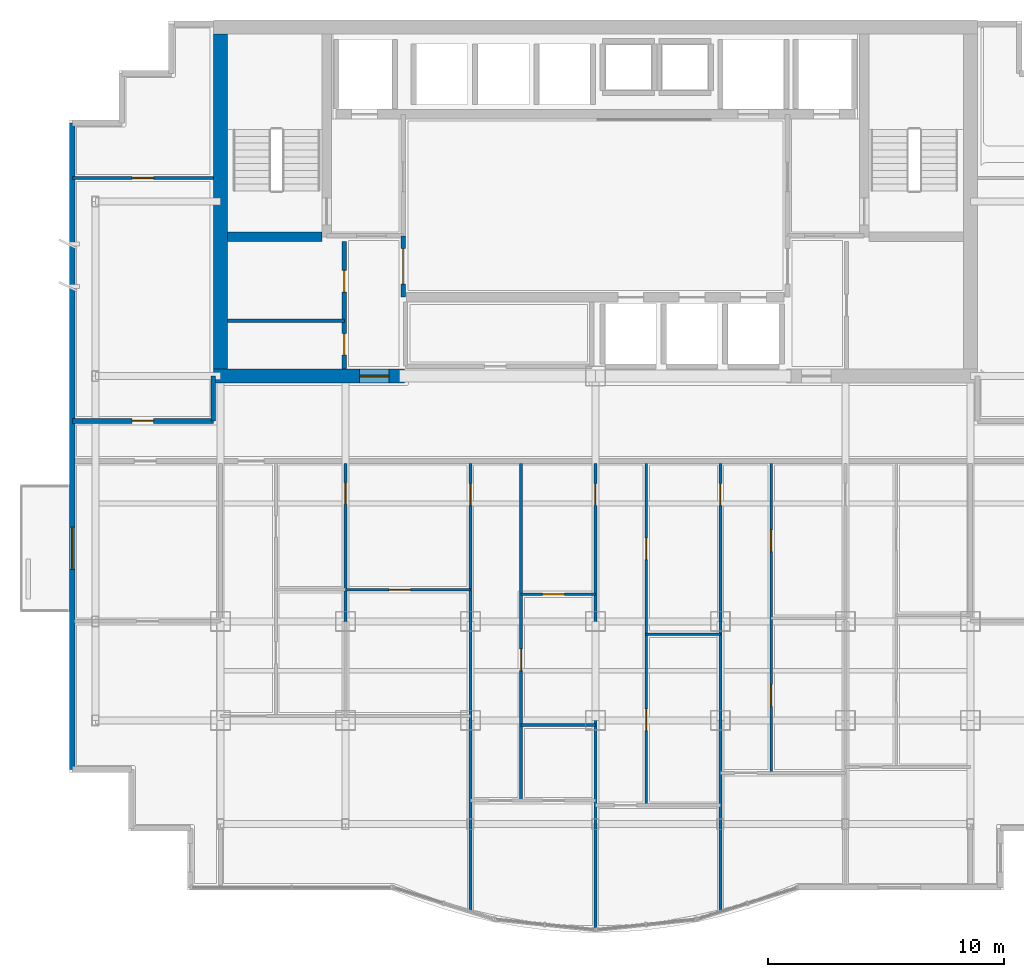
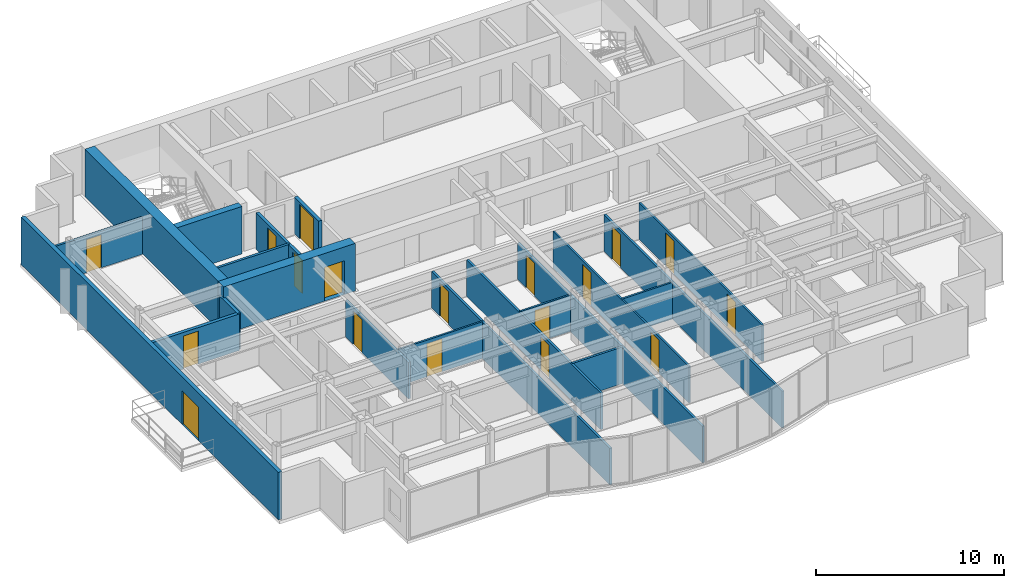
# One storey, part 6 of 11: 21 walls, 18 doors, 18 openings.
"""IFC4 building model written with IfcOpenShell, lengths in metres."""

from ifc_helpers import new_model, si_unit, direction, frame, frame_2d, origin, place, context, subcontext, project, spatial, rectangle, extrude, material, layer, layer_set, type_object, element, fill, save


model = new_model("IFC4")

# Units and contexts
model_context = context("Model", 3, precision=1e-05, world=origin(), true_north=direction((0.0, 1.0)))
body_context = subcontext(model_context, "Body", "Model", "MODEL_VIEW")
ifc_project = project(units=[si_unit("LENGTHUNIT", "METRE"), si_unit("AREAUNIT", "SQUARE_METRE"), si_unit("VOLUMEUNIT", "CUBIC_METRE"), si_unit("PLANEANGLEUNIT", "RADIAN"), si_unit("MASSUNIT", "GRAM", prefix="KILO")], contexts=[model_context])

# Site, building, storey
site_placement = place(None, origin())
site = spatial("IfcSite", under=ifc_project, at=site_placement, CompositionType="ELEMENT")
building_placement = place(site_placement, origin())
building = spatial("IfcBuilding", under=site, at=building_placement, Name="Qianlan Lanfeng Residences", CompositionType="ELEMENT")
storey_placement = place(building_placement, frame((0.0, 0.0, 172.199951171875)))
storey = spatial("IfcBuildingStorey", under=building, at=storey_placement, Name="L47", CompositionType="ELEMENT", Elevation=172.199951171875)

# Walls
ifc_material_1 = material(Name="Concrete C56", Category="concrete")
ifc_layer_1 = layer(ifc_material_1, 0.39990234375)
ifc_layer_set_1 = layer_set([ifc_layer_1], Name="Concrete C56")
wall_type_1 = type_object("IfcWallType", Name="CW-RC-400", PredefinedType="SHEAR", material=ifc_layer_set_1)
wall_1_placement = place(storey_placement, frame((10.89990234375, 31.10009765625, 0.0), z_axis=(0.0, 0.0, 1.0), x_axis=(1.0, 0.0, 0.0)))
element("IfcWall", 1, at=wall_1_placement, inside=storey, type_object=wall_type_1, Name="L47 Core Shear Wall ST1S", PredefinedType="SHEAR", context=body_context, shape_type="SweptSolid", body=[
    extrude(rectangle(XDim=4.0, YDim=0.39990234375, at=frame_2d((2.0, 0.0))), origin(), (0.0, 0.0, 1.0), 3.10009765625),
])
ifc_layer_2 = layer(ifc_material_1, 0.60009765625)
ifc_layer_set_2 = layer_set([ifc_layer_2], Name="Concrete C56")
wall_type_2 = type_object("IfcWallType", Name="CW-RC-600", PredefinedType="SHEAR", material=ifc_layer_set_2)
wall_2_placement = place(storey_placement, frame((10.60009765625, 25.5, 0.0), z_axis=(0.0, 0.0, 1.0), x_axis=(0.0, 1.0, 0.0)))
element("IfcWall", 2, at=wall_2_placement, inside=storey, type_object=wall_type_2, Name="L47 Core Shear Wall W", PredefinedType="SHEAR", context=body_context, shape_type="SweptSolid", body=[
    extrude(rectangle(XDim=14.199951171875, YDim=0.60009765625, at=frame_2d((7.10009765625, 0.0))), origin(), (0.0, 0.0, 1.0), 3.10009765625),
])

# Wall, opening, door
wall_3_placement = place(storey_placement, frame((10.300048828125, 25.199951171875, 0.0), z_axis=(0.0, 0.0, 1.0), x_axis=(1.0, 0.0, 0.0)))
wall_3 = element("IfcWall", 3, at=wall_3_placement, inside=storey, type_object=wall_type_2, Name="L47 Core Shear Wall SW", PredefinedType="SHEAR", context=body_context, shape_type="SweptSolid", body=[
    extrude(rectangle(XDim=8.099853515625, YDim=0.60009765625, at=frame_2d((4.0498046875, 0.0))), origin(), (0.0, 0.0, 1.0), 3.10009765625),
])
opening_1_placement = place(wall_3_placement, frame((6.199951171875, 0.0, 0.0)))
opening_1 = element("IfcOpeningElement", 4, at=opening_1_placement, cuts=wall_3, Name="Opening L47-D01", PredefinedType="OPENING", context=body_context, shape_type="SweptSolid", body=[
    extrude(rectangle(XDim=1.25, YDim=2.199951171875, at=frame_2d((0.625, 1.10009765625))), frame((0.0, 0.31005859375, 0.0), z_axis=(0.0, -1.0, 0.0), x_axis=(1.0, 0.0, 0.0)), (0.0, 0.0, 1.0), 0.6201171875),
])
ifc_material_2 = material(Name="Painted Galvanised Steel Fire Door", Category="steel")
door_type_1 = type_object("IfcDoorType", Name="DT-FFL", OperationType="NOTDEFINED", PredefinedType="DOOR", material=ifc_material_2)
door_1_placement = place(opening_1_placement, frame((1.25, 0.0, 0.0), z_axis=(0.0, 0.0, 1.0), x_axis=(-1.0, 0.0, 0.0)))
door_1 = element("IfcDoor", 5, at=door_1_placement, inside=storey, type_object=door_type_1, Name="L47 West Core Lobby Smoke Door L47-D01 (DT-FFL)", OperationType="SINGLE_SWING_RIGHT", OverallHeight=2.199951171875, OverallWidth=1.25, PredefinedType="DOOR", context=body_context, shape_type="SweptSolid", body=[
    extrude(rectangle(XDim=1.25, YDim=2.199951171875, at=frame_2d((0.625, 1.10009765625))), frame((0.0, 0.02490234375, 0.0), z_axis=(0.0, -1.0, 0.0), x_axis=(1.0, 0.0, 0.0)), (0.0, 0.0, 1.0), 0.050048828125),
])
fill(opening_1, door_1)

ifc_material_3 = material(Name="Concrete C42", Category="concrete")
ifc_layer_3 = layer(ifc_material_3, 0.239990234375)
ifc_layer_set_3 = layer_set([ifc_layer_3], Name="Concrete C42")
wall_type_3 = type_object("IfcWallType", Name="EW-240", PredefinedType="SOLIDWALL", material=ifc_layer_set_3)
wall_4_placement = place(storey_placement, frame((4.320068359375, 35.929931640625, 0.0), z_axis=(0.0, 0.0, 1.0), x_axis=(0.0, -1.0, 0.0)))
wall_4 = element("IfcWall", 6, at=wall_4_placement, inside=storey, type_object=wall_type_3, Name="L47 Terrace/Balcony Access Exterior Wall 21", PredefinedType="SOLIDWALL", context=body_context, shape_type="SweptSolid", body=[
    extrude(rectangle(XDim=27.409912109375, YDim=0.239990234375, at=frame_2d((13.705078125, 0.0))), origin(), (0.0, 0.0, 1.0), 3.10009765625),
])
opening_2_placement = place(wall_4_placement, frame((17.1298828125, 0.0, 0.0)))
opening_2 = element("IfcOpeningElement", 7, at=opening_2_placement, cuts=wall_4, Name="Opening L47-D-WB-S", PredefinedType="OPENING", context=body_context, shape_type="SweptSolid", body=[
    extrude(rectangle(XDim=1.800048828125, YDim=2.199951171875, at=frame_2d((0.89990234375, 1.10009765625))), frame((0.0, 0.1298828125, 0.0), z_axis=(0.0, -1.0, 0.0), x_axis=(1.0, 0.0, 0.0)), (0.0, 0.0, 1.0), 0.260009765625),
])
ifc_material_4 = material(Name="Anodised Bronze Aluminium Framed Glass", Category="aluminium")
door_type_2 = type_object("IfcDoorType", Name="DT-BAL1", OperationType="NOTDEFINED", PredefinedType="DOOR", material=ifc_material_4)
door_2_placement = place(opening_2_placement, frame((1.800048828125, 0.0, 0.0), z_axis=(0.0, 0.0, 1.0), x_axis=(-1.0, 0.0, 0.0)))
door_2 = element("IfcDoor", 8, at=door_2_placement, inside=storey, type_object=door_type_2, Name="L47 Exterior Access Door WB-S", OperationType="DOUBLE_DOOR_SLIDING", OverallHeight=2.199951171875, OverallWidth=1.800048828125, PredefinedType="DOOR", context=body_context, shape_type="SweptSolid", body=[
    extrude(rectangle(XDim=1.800048828125, YDim=2.199951171875, at=frame_2d((0.89990234375, 1.10009765625))), frame((0.0, 0.02490234375, 0.0), z_axis=(0.0, -1.0, 0.0), x_axis=(1.0, 0.0, 0.0)), (0.0, 0.0, 1.0), 0.050048828125),
])
fill(opening_2, door_2)

ifc_material_5 = material(Name="Demountable Acoustic Framing Partition 110 mm")
ifc_layer_4 = layer(ifc_material_5, 0.110107421875)
ifc_layer_set_4 = layer_set([ifc_layer_4], Name="Demountable Acoustic Framing Partition 110 mm")
wall_type_4 = type_object("IfcWallType", Name="PW-110", PredefinedType="MOVABLE", material=ifc_layer_set_4)
wall_5_placement = place(storey_placement, frame((15.89990234375, 16.14501953125, 0.0), z_axis=(0.0, 0.0, 1.0), x_axis=(1.0, 0.0, 0.0)))
wall_5 = element("IfcWall", 9, at=wall_5_placement, inside=storey, type_object=wall_type_4, Name="L47 U01 Study Split", PredefinedType="MOVABLE", context=body_context, shape_type="SweptSolid", body=[
    extrude(rectangle(XDim=5.300048828125, YDim=0.110107421875, at=frame_2d((2.64990234375, 0.0))), origin(), (0.0, 0.0, 1.0), 2.380126953125),
])
opening_3_placement = place(wall_5_placement, frame((1.840087890625, 0.0, 0.0)))
opening_3 = element("IfcOpeningElement", 10, at=opening_3_placement, cuts=wall_5, Name="Opening L47-D24", PredefinedType="OPENING", context=body_context, shape_type="SweptSolid", body=[
    extrude(rectangle(XDim=0.919921875, YDim=2.14990234375, at=frame_2d((0.4599609375, 1.074951171875))), frame((0.0, 0.06494140625, 0.0), z_axis=(0.0, -1.0, 0.0), x_axis=(1.0, 0.0, 0.0)), (0.0, 0.0, 1.0), 0.130126953125),
])
ifc_material_6 = material(Name="Glazed Timber Kitchen/Study Door", Category="wood")
door_type_3 = type_object("IfcDoorType", Name="DT-INT", OperationType="NOTDEFINED", PredefinedType="DOOR", material=ifc_material_6)
door_3_placement = place(opening_3_placement, origin())
door_3 = element("IfcDoor", 11, at=door_3_placement, inside=storey, type_object=door_type_3, Name="L47 U01 Study Inner Door L47-D24 (DT-INT)", OperationType="SINGLE_SWING_RIGHT", OverallHeight=2.14990234375, OverallWidth=0.919921875, PredefinedType="DOOR", context=body_context, shape_type="SweptSolid", body=[
    extrude(rectangle(XDim=0.919921875, YDim=2.14990234375, at=frame_2d((0.4599609375, 1.074951171875))), frame((0.0, 0.02490234375, 0.0), z_axis=(0.0, -1.0, 0.0), x_axis=(1.0, 0.0, 0.0)), (0.0, 0.0, 1.0), 0.050048828125),
])
fill(opening_3, door_3)

wall_6_placement = place(storey_placement, frame((23.35009765625, 15.949951171875, 0.0), z_axis=(0.0, 0.0, 1.0), x_axis=(1.0, 0.0, 0.0)))
wall_6 = element("IfcWall", 12, at=wall_6_placement, inside=storey, type_object=wall_type_4, Name="L47 U01 Wardrobe Split", PredefinedType="MOVABLE", context=body_context, shape_type="SweptSolid", body=[
    extrude(rectangle(XDim=3.14990234375, YDim=0.110107421875, at=frame_2d((1.574951171875, 0.0))), origin(), (0.0, 0.0, 1.0), 2.380126953125),
])
opening_4_placement = place(wall_6_placement, frame((0.9150390625, 0.0, 0.0)))
opening_4 = element("IfcOpeningElement", 13, at=opening_4_placement, cuts=wall_6, Name="Opening L47-D28", PredefinedType="OPENING", context=body_context, shape_type="SweptSolid", body=[
    extrude(rectangle(XDim=0.919921875, YDim=2.14990234375, at=frame_2d((0.4599609375, 1.074951171875))), frame((0.0, 0.06494140625, 0.0), z_axis=(0.0, -1.0, 0.0), x_axis=(1.0, 0.0, 0.0)), (0.0, 0.0, 1.0), 0.130126953125),
])
door_4_placement = place(opening_4_placement, origin())
door_4 = element("IfcDoor", 14, at=door_4_placement, inside=storey, type_object=door_type_3, Name="L47 U01 Dressing Inner Door L47-D28 (DT-INT)", OperationType="SINGLE_SWING_RIGHT", OverallHeight=2.14990234375, OverallWidth=0.919921875, PredefinedType="DOOR", context=body_context, shape_type="SweptSolid", body=[
    extrude(rectangle(XDim=0.919921875, YDim=2.14990234375, at=frame_2d((0.4599609375, 1.074951171875))), frame((0.0, 0.02490234375, 0.0), z_axis=(0.0, -1.0, 0.0), x_axis=(1.0, 0.0, 0.0)), (0.0, 0.0, 1.0), 0.050048828125),
])
fill(opening_4, door_4)

# Wall, openings, doors
wall_7_placement = place(storey_placement, frame((28.64990234375, 6.9990234375, 0.0), z_axis=(0.0, 0.0, 1.0), x_axis=(0.0, 1.0, 0.0)))
wall_7 = element("IfcWall", 15, at=wall_7_placement, inside=storey, type_object=wall_type_4, Name="L47 U01 Bedroom 3 Hall Wall", PredefinedType="MOVABLE", context=body_context, shape_type="SweptSolid", body=[
    extrude(rectangle(XDim=14.5009765625, YDim=0.110107421875, at=frame_2d((7.25048828125, 0.0))), origin(), (0.0, 0.0, 1.0), 2.380126953125),
])
opening_5_placement = place(wall_7_placement, frame((3.1650390625, 0.0, 0.0)))
opening_5 = element("IfcOpeningElement", 16, at=opening_5_placement, cuts=wall_7, Name="Opening L47-D30", PredefinedType="OPENING", context=body_context, shape_type="SweptSolid", body=[
    extrude(rectangle(XDim=0.919921875, YDim=2.14990234375, at=frame_2d((0.4599609375, 1.074951171875))), frame((0.0, 0.06494140625, 0.0), z_axis=(0.0, -1.0, 0.0), x_axis=(1.0, 0.0, 0.0)), (0.0, 0.0, 1.0), 0.130126953125),
])
opening_6_placement = place(wall_7_placement, frame((10.4150390625, 0.0, 0.0)))
opening_6 = element("IfcOpeningElement", 17, at=opening_6_placement, cuts=wall_7, Name="Opening L47-D31", PredefinedType="OPENING", context=body_context, shape_type="SweptSolid", body=[
    extrude(rectangle(XDim=0.919921875, YDim=2.14990234375, at=frame_2d((0.4599609375, 1.074951171875))), frame((0.0, 0.06494140625, 0.0), z_axis=(0.0, -1.0, 0.0), x_axis=(1.0, 0.0, 0.0)), (0.0, 0.0, 1.0), 0.130126953125),
])
door_5_placement = place(opening_5_placement, origin())
door_5 = element("IfcDoor", 18, at=door_5_placement, inside=storey, type_object=door_type_3, Name="L47 U01 Utility Door L47-D30 (DT-INT)", OperationType="SINGLE_SWING_RIGHT", OverallHeight=2.14990234375, OverallWidth=0.919921875, PredefinedType="DOOR", context=body_context, shape_type="SweptSolid", body=[
    extrude(rectangle(XDim=0.919921875, YDim=2.14990234375, at=frame_2d((0.4599609375, 1.074951171875))), frame((0.0, 0.02490234375, 0.0), z_axis=(0.0, -1.0, 0.0), x_axis=(1.0, 0.0, 0.0)), (0.0, 0.0, 1.0), 0.050048828125),
])
fill(opening_5, door_5)
door_6_placement = place(opening_6_placement, origin())
door_6 = element("IfcDoor", 19, at=door_6_placement, inside=storey, type_object=door_type_3, Name="L47 U01 Specialty Door L47-D31 (DT-INT)", OperationType="SINGLE_SWING_LEFT", OverallHeight=2.14990234375, OverallWidth=0.919921875, PredefinedType="DOOR", context=body_context, shape_type="SweptSolid", body=[
    extrude(rectangle(XDim=0.919921875, YDim=2.14990234375, at=frame_2d((0.4599609375, 1.074951171875))), frame((0.0, 0.02490234375, 0.0), z_axis=(0.0, -1.0, 0.0), x_axis=(1.0, 0.0, 0.0)), (0.0, 0.0, 1.0), 0.050048828125),
])
fill(opening_6, door_6)

# Wall
wall_8_placement = place(storey_placement, frame((28.64990234375, 14.2490234375, 0.0), z_axis=(0.0, 0.0, 1.0), x_axis=(1.0, 0.0, 0.0)))
element("IfcWall", 20, at=wall_8_placement, inside=storey, type_object=wall_type_4, Name="L47 U01 Specialty Split Wall", PredefinedType="MOVABLE", context=body_context, shape_type="SweptSolid", body=[
    extrude(rectangle(XDim=3.150146484375, YDim=0.110107421875, at=frame_2d((1.5751953125, 0.0))), origin(), (0.0, 0.0, 1.0), 2.380126953125),
])

# Wall, openings, doors
wall_9_placement = place(storey_placement, frame((33.949951171875, 8.3740234375, 0.0), z_axis=(0.0, 0.0, 1.0), x_axis=(0.0, 1.0, 0.0)))
wall_9 = element("IfcWall", 21, at=wall_9_placement, inside=storey, type_object=wall_type_4, Name="L47 U01 Bedroom 4 Hall Wall", PredefinedType="MOVABLE", context=body_context, shape_type="SweptSolid", body=[
    extrude(rectangle(XDim=13.1259765625, YDim=0.110107421875, at=frame_2d((6.56298828125, 0.0))), origin(), (0.0, 0.0, 1.0), 2.380126953125),
])
opening_7_placement = place(wall_9_placement, frame((2.821044921875, 0.0, 0.0)))
opening_7 = element("IfcOpeningElement", 22, at=opening_7_placement, cuts=wall_9, Name="Opening L47-D33", PredefinedType="OPENING", context=body_context, shape_type="SweptSolid", body=[
    extrude(rectangle(XDim=0.919921875, YDim=2.14990234375, at=frame_2d((0.4599609375, 1.074951171875))), frame((0.0, 0.06494140625, 0.0), z_axis=(0.0, -1.0, 0.0), x_axis=(1.0, 0.0, 0.0)), (0.0, 0.0, 1.0), 0.130126953125),
])
opening_8_placement = place(wall_9_placement, frame((9.385009765625, 0.0, 0.0)))
opening_8 = element("IfcOpeningElement", 23, at=opening_8_placement, cuts=wall_9, Name="Opening L47-D34", PredefinedType="OPENING", context=body_context, shape_type="SweptSolid", body=[
    extrude(rectangle(XDim=0.919921875, YDim=2.14990234375, at=frame_2d((0.4599609375, 1.074951171875))), frame((0.0, 0.06494140625, 0.0), z_axis=(0.0, -1.0, 0.0), x_axis=(1.0, 0.0, 0.0)), (0.0, 0.0, 1.0), 0.130126953125),
])
door_7_placement = place(opening_7_placement, origin())
door_7 = element("IfcDoor", 24, at=door_7_placement, inside=storey, type_object=door_type_3, Name="L47 U01 Utility Door L47-D33 (DT-INT)", OperationType="SINGLE_SWING_LEFT", OverallHeight=2.14990234375, OverallWidth=0.919921875, PredefinedType="DOOR", context=body_context, shape_type="SweptSolid", body=[
    extrude(rectangle(XDim=0.919921875, YDim=2.14990234375, at=frame_2d((0.4599609375, 1.074951171875))), frame((0.0, 0.02490234375, 0.0), z_axis=(0.0, -1.0, 0.0), x_axis=(1.0, 0.0, 0.0)), (0.0, 0.0, 1.0), 0.050048828125),
])
fill(opening_7, door_7)
door_8_placement = place(opening_8_placement, origin())
door_8 = element("IfcDoor", 25, at=door_8_placement, inside=storey, type_object=door_type_3, Name="L47 U01 Specialty Door L47-D34 (DT-INT)", OperationType="SINGLE_SWING_RIGHT", OverallHeight=2.14990234375, OverallWidth=0.919921875, PredefinedType="DOOR", context=body_context, shape_type="SweptSolid", body=[
    extrude(rectangle(XDim=0.919921875, YDim=2.14990234375, at=frame_2d((0.4599609375, 1.074951171875))), frame((0.0, 0.02490234375, 0.0), z_axis=(0.0, -1.0, 0.0), x_axis=(1.0, 0.0, 0.0)), (0.0, 0.0, 1.0), 0.050048828125),
])
fill(opening_8, door_8)

# Wall, opening, door
ifc_material_7 = material(Name="Moisture-Resistant Gypsum Partition 135 mm")
ifc_layer_5 = layer(ifc_material_7, 0.135009765625)
ifc_layer_set_5 = layer_set([ifc_layer_5], Name="Moisture-Resistant Gypsum Partition 135 mm")
wall_type_5 = type_object("IfcWallType", Name="PW-135", PredefinedType="PARTITIONING", material=ifc_layer_set_5)
wall_10_placement = place(storey_placement, frame((15.89990234375, 14.800048828125, 0.0), z_axis=(0.0, 0.0, 1.0), x_axis=(0.0, 1.0, 0.0)))
wall_10 = element("IfcWall", 26, at=wall_10_placement, inside=storey, type_object=wall_type_5, Name="L47 U01 North Spine Wall", PredefinedType="PARTITIONING", context=body_context, shape_type="SweptSolid", body=[
    extrude(rectangle(XDim=6.699951171875, YDim=0.135009765625, at=frame_2d((3.35009765625, 0.0))), origin(), (0.0, 0.0, 1.0), 2.380126953125),
])
opening_9_placement = place(wall_10_placement, frame((4.965087890625, 0.0, 0.0)))
opening_9 = element("IfcOpeningElement", 27, at=opening_9_placement, cuts=wall_10, Name="Opening L47-D16", PredefinedType="OPENING", context=body_context, shape_type="SweptSolid", body=[
    extrude(rectangle(XDim=0.919921875, YDim=2.14990234375, at=frame_2d((0.4599609375, 1.074951171875))), frame((0.0, 0.07763671875, 0.0), z_axis=(0.0, -1.0, 0.0), x_axis=(1.0, 0.0, 0.0)), (0.0, 0.0, 1.0), 0.155029296875),
])
door_9_placement = place(opening_9_placement, origin())
door_9 = element("IfcDoor", 28, at=door_9_placement, inside=storey, type_object=door_type_3, Name="L47 U01 North Suite Door L47-D16 (DT-INT)", OperationType="SINGLE_SWING_RIGHT", OverallHeight=2.14990234375, OverallWidth=0.919921875, PredefinedType="DOOR", context=body_context, shape_type="SweptSolid", body=[
    extrude(rectangle(XDim=0.919921875, YDim=2.14990234375, at=frame_2d((0.4599609375, 1.074951171875))), frame((0.0, 0.02490234375, 0.0), z_axis=(0.0, -1.0, 0.0), x_axis=(1.0, 0.0, 0.0)), (0.0, 0.0, 1.0), 0.050048828125),
])
fill(opening_9, door_9)

wall_11_placement = place(storey_placement, frame((21.199951171875, 2.508056640625, 0.0), z_axis=(0.0, 0.0, 1.0), x_axis=(0.0, 1.0, 0.0)))
wall_11 = element("IfcWall", 29, at=wall_11_placement, inside=storey, type_object=wall_type_5, Name="L47 U01 Bay Spine Wall 2", PredefinedType="PARTITIONING", context=body_context, shape_type="SweptSolid", body=[
    extrude(rectangle(XDim=18.991943359375, YDim=0.135009765625, at=frame_2d((9.49609375, 0.0))), origin(), (0.0, 0.0, 1.0), 2.380126953125),
])
opening_10_placement = place(wall_11_placement, frame((17.20703125, 0.0, 0.0)))
opening_10 = element("IfcOpeningElement", 30, at=opening_10_placement, cuts=wall_11, Name="Opening L47-D17", PredefinedType="OPENING", context=body_context, shape_type="SweptSolid", body=[
    extrude(rectangle(XDim=0.919921875, YDim=2.14990234375, at=frame_2d((0.4599609375, 1.074951171875))), frame((0.0, 0.07763671875, 0.0), z_axis=(0.0, -1.0, 0.0), x_axis=(1.0, 0.0, 0.0)), (0.0, 0.0, 1.0), 0.155029296875),
])
door_10_placement = place(opening_10_placement, origin())
door_10 = element("IfcDoor", 31, at=door_10_placement, inside=storey, type_object=door_type_3, Name="L47 U01 Internal Hall Door L47-D17 (DT-INT)", OperationType="SINGLE_SWING_LEFT", OverallHeight=2.14990234375, OverallWidth=0.919921875, PredefinedType="DOOR", context=body_context, shape_type="SweptSolid", body=[
    extrude(rectangle(XDim=0.919921875, YDim=2.14990234375, at=frame_2d((0.4599609375, 1.074951171875))), frame((0.0, 0.02490234375, 0.0), z_axis=(0.0, -1.0, 0.0), x_axis=(1.0, 0.0, 0.0)), (0.0, 0.0, 1.0), 0.050048828125),
])
fill(opening_10, door_10)

wall_12_placement = place(storey_placement, frame((26.5, 1.820068359375, 0.0), z_axis=(0.0, 0.0, 1.0), x_axis=(0.0, 1.0, 0.0)))
wall_12 = element("IfcWall", 32, at=wall_12_placement, inside=storey, type_object=wall_type_5, Name="L47 U01 Bay Spine Wall 3", PredefinedType="PARTITIONING", context=body_context, shape_type="SweptSolid", body=[
    extrude(rectangle(XDim=19.679931640625, YDim=0.135009765625, at=frame_2d((9.83984375, 0.0))), origin(), (0.0, 0.0, 1.0), 2.380126953125),
])
opening_11_placement = place(wall_12_placement, frame((17.89501953125, 0.0, 0.0)))
opening_11 = element("IfcOpeningElement", 33, at=opening_11_placement, cuts=wall_12, Name="Opening L47-D18", PredefinedType="OPENING", context=body_context, shape_type="SweptSolid", body=[
    extrude(rectangle(XDim=0.919921875, YDim=2.14990234375, at=frame_2d((0.4599609375, 1.074951171875))), frame((0.0, 0.07763671875, 0.0), z_axis=(0.0, -1.0, 0.0), x_axis=(1.0, 0.0, 0.0)), (0.0, 0.0, 1.0), 0.155029296875),
])
door_11_placement = place(opening_11_placement, origin())
door_11 = element("IfcDoor", 34, at=door_11_placement, inside=storey, type_object=door_type_3, Name="L47 U01 Internal Hall Door L47-D18 (DT-INT)", OperationType="SINGLE_SWING_RIGHT", OverallHeight=2.14990234375, OverallWidth=0.919921875, PredefinedType="DOOR", context=body_context, shape_type="SweptSolid", body=[
    extrude(rectangle(XDim=0.919921875, YDim=2.14990234375, at=frame_2d((0.4599609375, 1.074951171875))), frame((0.0, 0.02490234375, 0.0), z_axis=(0.0, -1.0, 0.0), x_axis=(1.0, 0.0, 0.0)), (0.0, 0.0, 1.0), 0.050048828125),
])
fill(opening_11, door_11)

wall_13_placement = place(storey_placement, frame((31.800048828125, 2.509033203125, 0.0), z_axis=(0.0, 0.0, 1.0), x_axis=(0.0, 1.0, 0.0)))
wall_13 = element("IfcWall", 35, at=wall_13_placement, inside=storey, type_object=wall_type_5, Name="L47 U01 Bay Spine Wall 4", PredefinedType="PARTITIONING", context=body_context, shape_type="SweptSolid", body=[
    extrude(rectangle(XDim=18.990966796875, YDim=0.135009765625, at=frame_2d((9.49560546875, 0.0))), origin(), (0.0, 0.0, 1.0), 2.380126953125),
])
opening_12_placement = place(wall_13_placement, frame((17.2060546875, 0.0, 0.0)))
opening_12 = element("IfcOpeningElement", 36, at=opening_12_placement, cuts=wall_13, Name="Opening L47-D19", PredefinedType="OPENING", context=body_context, shape_type="SweptSolid", body=[
    extrude(rectangle(XDim=0.919921875, YDim=2.14990234375, at=frame_2d((0.4599609375, 1.074951171875))), frame((0.0, 0.07763671875, 0.0), z_axis=(0.0, -1.0, 0.0), x_axis=(1.0, 0.0, 0.0)), (0.0, 0.0, 1.0), 0.155029296875),
])
door_12_placement = place(opening_12_placement, origin())
door_12 = element("IfcDoor", 37, at=door_12_placement, inside=storey, type_object=door_type_3, Name="L47 U01 Internal Hall Door L47-D19 (DT-INT)", OperationType="SINGLE_SWING_LEFT", OverallHeight=2.14990234375, OverallWidth=0.919921875, PredefinedType="DOOR", context=body_context, shape_type="SweptSolid", body=[
    extrude(rectangle(XDim=0.919921875, YDim=2.14990234375, at=frame_2d((0.4599609375, 1.074951171875))), frame((0.0, 0.02490234375, 0.0), z_axis=(0.0, -1.0, 0.0), x_axis=(1.0, 0.0, 0.0)), (0.0, 0.0, 1.0), 0.050048828125),
])
fill(opening_12, door_12)

wall_14_placement = place(storey_placement, frame((23.35009765625, 7.198974609375, 0.0), z_axis=(0.0, 0.0, 1.0), x_axis=(0.0, 1.0, 0.0)))
wall_14 = element("IfcWall", 38, at=wall_14_placement, inside=storey, type_object=wall_type_5, Name="L47 U01 Master Passage Wall", PredefinedType="PARTITIONING", context=body_context, shape_type="SweptSolid", body=[
    extrude(rectangle(XDim=14.301025390625, YDim=0.135009765625, at=frame_2d((7.150390625, 0.0))), origin(), (0.0, 0.0, 1.0), 2.380126953125),
])
opening_13_placement = place(wall_14_placement, frame((5.51611328125, 0.0, 0.0)))
opening_13 = element("IfcOpeningElement", 39, at=opening_13_placement, cuts=wall_14, Name="Opening L47-D27", PredefinedType="OPENING", context=body_context, shape_type="SweptSolid", body=[
    extrude(rectangle(XDim=0.919921875, YDim=2.14990234375, at=frame_2d((0.4599609375, 1.074951171875))), frame((0.0, 0.07763671875, 0.0), z_axis=(0.0, -1.0, 0.0), x_axis=(1.0, 0.0, 0.0)), (0.0, 0.0, 1.0), 0.155029296875),
])
door_13_placement = place(opening_13_placement, origin())
door_13 = element("IfcDoor", 40, at=door_13_placement, inside=storey, type_object=door_type_3, Name="L47 U01 Wardrobe Door L47-D27 (DT-INT)", OperationType="SINGLE_SWING_LEFT", OverallHeight=2.14990234375, OverallWidth=0.919921875, PredefinedType="DOOR", context=body_context, shape_type="SweptSolid", body=[
    extrude(rectangle(XDim=0.919921875, YDim=2.14990234375, at=frame_2d((0.4599609375, 1.074951171875))), frame((0.0, 0.02490234375, 0.0), z_axis=(0.0, -1.0, 0.0), x_axis=(1.0, 0.0, 0.0)), (0.0, 0.0, 1.0), 0.050048828125),
])
fill(opening_13, door_13)

# Wall
wall_15_placement = place(storey_placement, frame((23.35009765625, 10.39892578125, 0.0), z_axis=(0.0, 0.0, 1.0), x_axis=(1.0, 0.0, 0.0)))
element("IfcWall", 41, at=wall_15_placement, inside=storey, type_object=wall_type_5, Name="L47 U01 En-Suite North Wall", PredefinedType="PARTITIONING", context=body_context, shape_type="SweptSolid", body=[
    extrude(rectangle(XDim=3.14990234375, YDim=0.135009765625, at=frame_2d((1.574951171875, 0.0))), origin(), (0.0, 0.0, 1.0), 2.380126953125),
])

# Wall, opening, door
wall_16_placement = place(storey_placement, frame((4.320068359375, 33.60009765625, 0.0), z_axis=(0.0, 0.0, 1.0), x_axis=(1.0, 0.0, 0.0)))
wall_16 = element("IfcWall", 42, at=wall_16_placement, inside=storey, type_object=wall_type_5, Name="L47 WW North Wing Wall", PredefinedType="PARTITIONING", context=body_context, shape_type="SweptSolid", body=[
    extrude(rectangle(XDim=5.97998046875, YDim=0.135009765625, at=frame_2d((2.989990234375, 0.0))), origin(), (0.0, 0.0, 1.0), 2.380126953125),
])
opening_14_placement = place(wall_16_placement, frame((2.530029296875, 0.0, 0.0)))
opening_14 = element("IfcOpeningElement", 43, at=opening_14_placement, cuts=wall_16, Name="Opening L47-D42", PredefinedType="OPENING", context=body_context, shape_type="SweptSolid", body=[
    extrude(rectangle(XDim=0.919921875, YDim=2.14990234375, at=frame_2d((0.4599609375, 1.074951171875))), frame((0.0, 0.07763671875, 0.0), z_axis=(0.0, -1.0, 0.0), x_axis=(1.0, 0.0, 0.0)), (0.0, 0.0, 1.0), 0.155029296875),
])
door_14_placement = place(opening_14_placement, origin())
door_14 = element("IfcDoor", 44, at=door_14_placement, inside=storey, type_object=door_type_3, Name="L47 WW Inner Salon Door L47-D42 (DT-INT)", OperationType="SINGLE_SWING_RIGHT", OverallHeight=2.14990234375, OverallWidth=0.919921875, PredefinedType="DOOR", context=body_context, shape_type="SweptSolid", body=[
    extrude(rectangle(XDim=0.919921875, YDim=2.14990234375, at=frame_2d((0.4599609375, 1.074951171875))), frame((0.0, 0.02490234375, 0.0), z_axis=(0.0, -1.0, 0.0), x_axis=(1.0, 0.0, 0.0)), (0.0, 0.0, 1.0), 0.050048828125),
])
fill(opening_14, door_14)

# Wall
ifc_material_8 = material(Name="Acoustic Drywall Partition 150 mm")
ifc_layer_6 = layer(ifc_material_8, 0.14990234375)
ifc_layer_set_6 = layer_set([ifc_layer_6], Name="Acoustic Drywall Partition 150 mm")
wall_type_6 = type_object("IfcWallType", Name="PW-150", PredefinedType="PARTITIONING", material=ifc_layer_set_6)
wall_17_placement = place(storey_placement, frame((10.89990234375, 27.550048828125, 0.0), z_axis=(0.0, 0.0, 1.0), x_axis=(1.0, 0.0, 0.0)))
element("IfcWall", 45, at=wall_17_placement, inside=storey, type_object=wall_type_6, Name="L47 Core West Split", PredefinedType="PARTITIONING", context=body_context, shape_type="SweptSolid", body=[
    extrude(rectangle(XDim=4.9501953125, YDim=0.14990234375, at=frame_2d((2.47509765625, 0.0))), origin(), (0.0, 0.0, 1.0), 2.380126953125),
])

# Wall, openings, doors
ifc_material_9 = material(Name="Double-Layer Acoustic Gypsum Stud Wall 180 mm")
ifc_layer_7 = layer(ifc_material_9, 0.179931640625)
ifc_layer_set_7 = layer_set([ifc_layer_7], Name="Double-Layer Acoustic Gypsum Stud Wall 180 mm")
wall_type_7 = type_object("IfcWallType", Name="PW-180", PredefinedType="PARTITIONING", material=ifc_layer_set_7)
wall_18_placement = place(storey_placement, frame((15.85009765625, 25.5, 0.0), z_axis=(0.0, 0.0, 1.0), x_axis=(0.0, 1.0, 0.0)))
wall_18 = element("IfcWall", 46, at=wall_18_placement, inside=storey, type_object=wall_type_7, Name="L47 Core West Service Room Wall", PredefinedType="PARTITIONING", context=body_context, shape_type="SweptSolid", body=[
    extrude(rectangle(XDim=5.39990234375, YDim=0.179931640625, at=frame_2d((2.699951171875, 0.0))), origin(), (0.0, 0.0, 1.0), 2.380126953125),
])
opening_15_placement = place(wall_18_placement, frame((0.60009765625, 0.0, 0.0)))
opening_15 = element("IfcOpeningElement", 47, at=opening_15_placement, cuts=wall_18, Name="Opening L47-D09", PredefinedType="OPENING", context=body_context, shape_type="SweptSolid", body=[
    extrude(rectangle(XDim=0.89990234375, YDim=2.14990234375, at=frame_2d((0.449951171875, 1.074951171875))), frame((0.0, 0.10009765625, 0.0), z_axis=(0.0, -1.0, 0.0), x_axis=(1.0, 0.0, 0.0)), (0.0, 0.0, 1.0), 0.199951171875),
])
opening_16_placement = place(wall_18_placement, frame((3.264892578125, 0.0, 0.0)))
opening_16 = element("IfcOpeningElement", 48, at=opening_16_placement, cuts=wall_18, Name="Opening L47-D10", PredefinedType="OPENING", context=body_context, shape_type="SweptSolid", body=[
    extrude(rectangle(XDim=0.919921875, YDim=2.14990234375, at=frame_2d((0.4599609375, 1.074951171875))), frame((0.0, 0.10009765625, 0.0), z_axis=(0.0, -1.0, 0.0), x_axis=(1.0, 0.0, 0.0)), (0.0, 0.0, 1.0), 0.199951171875),
])
door_15_placement = place(opening_16_placement, origin())
door_15 = element("IfcDoor", 49, at=door_15_placement, inside=storey, type_object=door_type_3, Name="L47 Janitor Closet Door L47-D10 (DT-INT)", OperationType="SINGLE_SWING_RIGHT", OverallHeight=2.14990234375, OverallWidth=0.919921875, PredefinedType="DOOR", context=body_context, shape_type="SweptSolid", body=[
    extrude(rectangle(XDim=0.919921875, YDim=2.14990234375, at=frame_2d((0.4599609375, 1.074951171875))), frame((0.0, 0.02490234375, 0.0), z_axis=(0.0, -1.0, 0.0), x_axis=(1.0, 0.0, 0.0)), (0.0, 0.0, 1.0), 0.050048828125),
])
fill(opening_16, door_15)
ifc_material_10 = material(Name="Moisture-Resistant Timber Leaf", Category="wood")
door_type_4 = type_object("IfcDoorType", Name="DT-WC", OperationType="NOTDEFINED", PredefinedType="DOOR", material=ifc_material_10)
door_16_placement = place(opening_15_placement, frame((0.89990234375, 0.0, 0.0), z_axis=(0.0, 0.0, 1.0), x_axis=(-1.0, 0.0, 0.0)))
door_16 = element("IfcDoor", 50, at=door_16_placement, inside=storey, type_object=door_type_4, Name="L47 Core Staff WC Door L47-D09 (DT-WC)", OperationType="SINGLE_SWING_RIGHT", OverallHeight=2.14990234375, OverallWidth=0.89990234375, PredefinedType="DOOR", context=body_context, shape_type="SweptSolid", body=[
    extrude(rectangle(XDim=0.89990234375, YDim=2.14990234375, at=frame_2d((0.449951171875, 1.074951171875))), frame((0.0, 0.02490234375, 0.0), z_axis=(0.0, -1.0, 0.0), x_axis=(1.0, 0.0, 0.0)), (0.0, 0.0, 1.0), 0.050048828125),
])
fill(opening_15, door_16)

# Wall, opening, door
ifc_material_11 = material(Name="Autoclaved Aerated Concrete Blockwork 200 mm", Category="masonry")
ifc_layer_8 = layer(ifc_material_11, 0.199951171875)
ifc_layer_set_8 = layer_set([ifc_layer_8], Name="Autoclaved Aerated Concrete Blockwork 200 mm")
wall_type_8 = type_object("IfcWallType", Name="PW-200", PredefinedType="PARTITIONING", material=ifc_layer_set_8)
wall_19_placement = place(storey_placement, frame((18.35009765625, 28.550048828125, 0.0), z_axis=(0.0, 0.0, 1.0), x_axis=(0.0, 1.0, 0.0)))
wall_19 = element("IfcWall", 51, at=wall_19_placement, inside=storey, type_object=wall_type_8, Name="L47 Lift Lobby West Connector Wall", PredefinedType="PARTITIONING", context=body_context, shape_type="SweptSolid", body=[
    extrude(rectangle(XDim=2.599853515625, YDim=0.199951171875, at=frame_2d((1.2998046875, 0.0))), origin(), (0.0, 0.0, 1.0), 2.380126953125),
])
opening_17_placement = place(wall_19_placement, frame((0.550048828125, 0.0, 0.0)))
opening_17 = element("IfcOpeningElement", 52, at=opening_17_placement, cuts=wall_19, Name="Opening L47-D12", PredefinedType="OPENING", context=body_context, shape_type="SweptSolid", body=[
    extrude(rectangle(XDim=1.5, YDim=2.25, at=frame_2d((0.75, 1.125))), frame((0.0, 0.10986328125, 0.0), z_axis=(0.0, -1.0, 0.0), x_axis=(1.0, 0.0, 0.0)), (0.0, 0.0, 1.0), 0.219970703125),
])
ifc_material_12 = material(Name="Timber Veneer Acoustic Fire Door", Category="wood")
door_type_5 = type_object("IfcDoorType", Name="DT-COR1", OperationType="NOTDEFINED", PredefinedType="DOOR", material=ifc_material_12)
door_17_placement = place(opening_17_placement, origin())
door_17 = element("IfcDoor", 53, at=door_17_placement, inside=storey, type_object=door_type_5, Name="L47 Lift Lobby West Portal Door L47-D12 (DT-COR1)", OperationType="DOUBLE_DOOR_SINGLE_SWING", OverallHeight=2.25, OverallWidth=1.5, PredefinedType="DOOR", context=body_context, shape_type="SweptSolid", body=[
    extrude(rectangle(XDim=1.5, YDim=2.25, at=frame_2d((0.75, 1.125))), frame((0.0, 0.02490234375, 0.0), z_axis=(0.0, -1.0, 0.0), x_axis=(1.0, 0.0, 0.0)), (0.0, 0.0, 1.0), 0.050048828125),
])
fill(opening_17, door_17)

wall_20_placement = place(storey_placement, frame((4.320068359375, 23.300048828125, 0.0), z_axis=(0.0, 0.0, 1.0), x_axis=(1.0, 0.0, 0.0)))
wall_20 = element("IfcWall", 54, at=wall_20_placement, inside=storey, type_object=wall_type_8, Name="L47 Corridor NW Wall", PredefinedType="PARTITIONING", context=body_context, shape_type="SweptSolid", body=[
    extrude(rectangle(XDim=5.97998046875, YDim=0.199951171875, at=frame_2d((2.989990234375, 0.0))), origin(), (0.0, 0.0, 1.0), 2.380126953125),
])
opening_18_placement = place(wall_20_placement, frame((2.530029296875, 0.0, 0.0)))
opening_18 = element("IfcOpeningElement", 55, at=opening_18_placement, cuts=wall_20, Name="Opening L47-D43", PredefinedType="OPENING", context=body_context, shape_type="SweptSolid", body=[
    extrude(rectangle(XDim=0.919921875, YDim=2.14990234375, at=frame_2d((0.4599609375, 1.074951171875))), frame((0.0, 0.10986328125, 0.0), z_axis=(0.0, -1.0, 0.0), x_axis=(1.0, 0.0, 0.0)), (0.0, 0.0, 1.0), 0.219970703125),
])
door_18_placement = place(opening_18_placement, origin())
door_18 = element("IfcDoor", 56, at=door_18_placement, inside=storey, type_object=door_type_3, Name="L47 WW Amenity Salon Door L47-D43 (DT-INT)", OperationType="SINGLE_SWING_LEFT", OverallHeight=2.14990234375, OverallWidth=0.919921875, PredefinedType="DOOR", context=body_context, shape_type="SweptSolid", body=[
    extrude(rectangle(XDim=0.919921875, YDim=2.14990234375, at=frame_2d((0.4599609375, 1.074951171875))), frame((0.0, 0.02490234375, 0.0), z_axis=(0.0, -1.0, 0.0), x_axis=(1.0, 0.0, 0.0)), (0.0, 0.0, 1.0), 0.050048828125),
])
fill(opening_18, door_18)

# Wall
wall_21_placement = place(storey_placement, frame((10.300048828125, 23.300048828125, 0.0), z_axis=(0.0, 0.0, 1.0), x_axis=(0.0, 1.0, 0.0)))
element("IfcWall", 57, at=wall_21_placement, inside=storey, type_object=wall_type_8, Name="L47 NW Wing Core Return Wall", PredefinedType="PARTITIONING", context=body_context, shape_type="SweptSolid", body=[
    extrude(rectangle(XDim=1.89990234375, YDim=0.199951171875, at=frame_2d((0.949951171875, 0.0))), origin(), (0.0, 0.0, 1.0), 2.380126953125),
])

save(model, "model.ifc")
